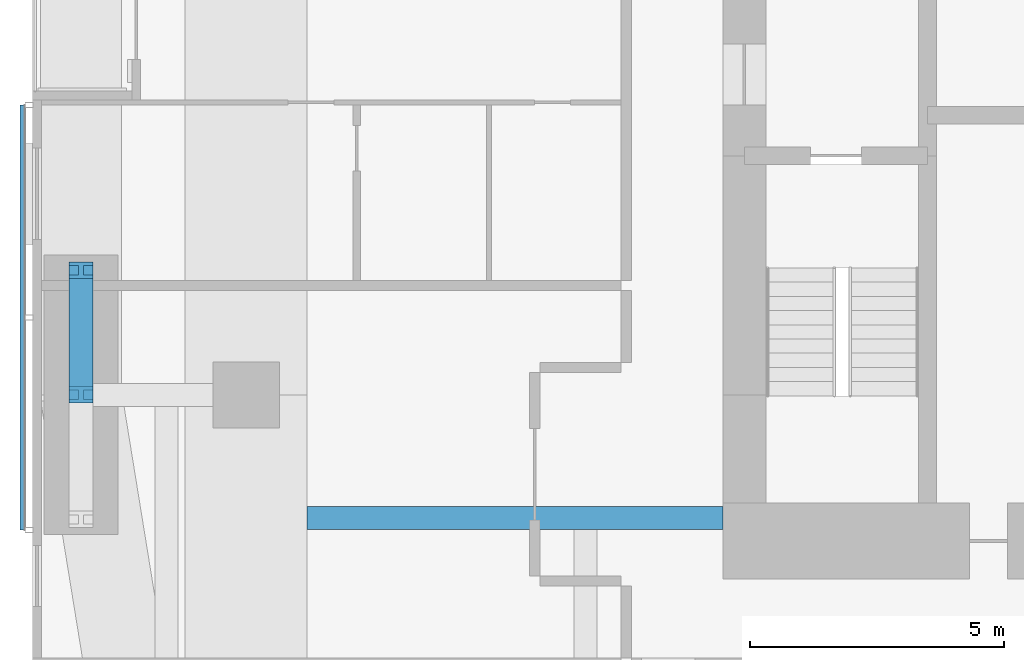
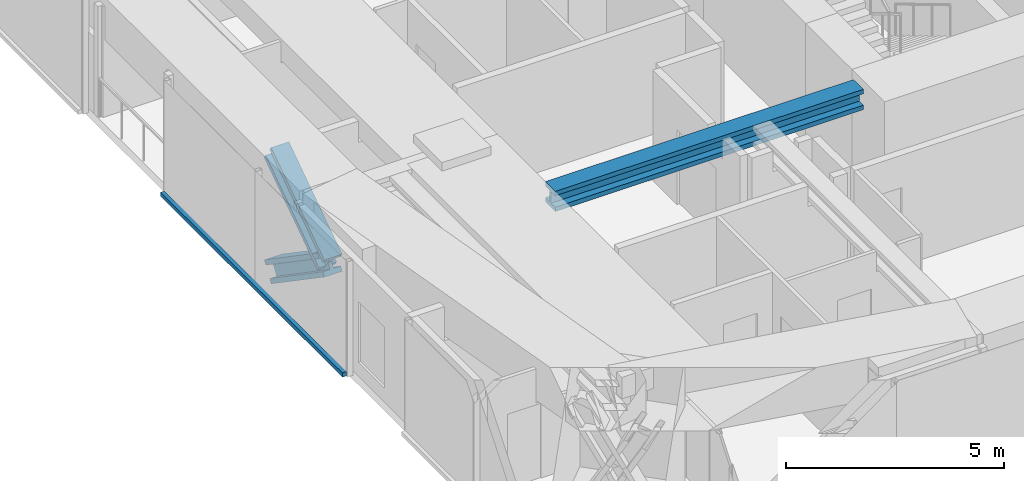
# One storey, part 3 of 24: 3 members, 1 beam, 1 element without a shape of its own.
"""IFC4 building model written with IfcOpenShell, lengths in metres."""

from ifc_helpers import new_model, si_unit, direction, frame, origin, origin_2d, place, context, subcontext, project, spatial, rectangle, i_section, extrude, material, material_profile, profile_set, type_object, element, aggregate, save


model = new_model("IFC4")

# Units and contexts
model_context = context("Model", 3, precision=1e-05, world=origin(), true_north=direction((0.0, 1.0)))
body_context = subcontext(model_context, "Body", "Model", "MODEL_VIEW")
ifc_project = project(units=[si_unit("LENGTHUNIT", "METRE"), si_unit("AREAUNIT", "SQUARE_METRE"), si_unit("VOLUMEUNIT", "CUBIC_METRE"), si_unit("PLANEANGLEUNIT", "RADIAN"), si_unit("MASSUNIT", "GRAM", prefix="KILO")], contexts=[model_context])

# Site, building, storey
site_placement = place(None, origin())
site = spatial("IfcSite", under=ifc_project, at=site_placement, CompositionType="ELEMENT")
building_placement = place(site_placement, origin())
building = spatial("IfcBuilding", under=site, at=building_placement, Name="Jalousie Tower", CompositionType="ELEMENT")
storey_placement = place(building_placement, frame((0.0, 0.0, 128.300048828125)))
storey = spatial("IfcBuildingStorey", under=building, at=storey_placement, Name="L35", CompositionType="ELEMENT", Elevation=128.300048828125)

# Beam
ifc_material_1 = material(Name="Steel ASTM A992 Grade 50", Category="steel")
ifc_material_profile_1 = material_profile(ifc_material_1, i_section(OverallWidth=0.45458984375, OverallDepth=0.569091796875, WebThickness=0.077880859375, FlangeThickness=0.124755859375, at=origin_2d()), Name="W14X730")
ifc_profile_set_1 = profile_set([ifc_material_profile_1], Name="Steel ASTM A992 Grade 50")
beam_type = type_object("IfcBeamType", Name="LEAN COLLECTOR W14X730", PredefinedType="BEAM", material=ifc_profile_set_1)
beam_placement = place(storey_placement, frame((11.39990234375, 10.574951171875, 2.825439453125), z_axis=(1.0, 0.0, 0.0), x_axis=(0.0, 1.0, 0.0)))
element("IfcBeam", 1, at=beam_placement, inside=storey, type_object=beam_type, Name="Lean collector under L36", PredefinedType="BEAM", context=body_context, shape_type="SweptSolid", body=[
    extrude(i_section(OverallWidth=0.45458984375, OverallDepth=0.569091796875, WebThickness=0.077880859375, FlangeThickness=0.124755859375, at=origin_2d()), origin(), (0.0, 0.0, 1.0), 8.175048828125),
])

# Members
ifc_material_2 = material(Name="Steel ASTM A992 Grade 50", Category="steel")
ifc_material_profile_2 = material_profile(ifc_material_2, i_section(OverallWidth=0.472412109375, OverallDepth=0.5791015625, WebThickness=0.094970703125, FlangeThickness=0.1298828125, at=origin_2d()), Name="W14X808")
ifc_profile_set_2 = profile_set([ifc_material_profile_2], Name="Steel ASTM A992 Grade 50")
member_type_1 = type_object("IfcMemberType", Name="PERIMETER BRACE W14X808", PredefinedType="BRACE", material=ifc_profile_set_2)
for number, where, z_axis, x_axis, name in (
    (2, (6.949951171875, 13.0, 1.074951171875), (0.0, 0.825500916831, 0.564400776321), (-1.0, 0.0, 0.0), "Perimeter brace 14 L35 part 2"),
    (3, (6.949951171875, 15.449951171875, -0.60009765625), (0.0, -0.825500916831, 0.564400776321), (1.0, 0.0, 0.0), "Perimeter brace 14 L35 part 3"),
):
    element("IfcMember", number, at=place(storey_placement, frame(where, z_axis=z_axis, x_axis=x_axis)), inside=storey, type_object=member_type_1, Name=name, PredefinedType="BRACE", context=body_context, shape_type="SweptSolid", body=[
        extrude(i_section(OverallWidth=0.472412109375, OverallDepth=0.5791015625, WebThickness=0.094970703125, FlangeThickness=0.1298828125, at=origin_2d()), origin(), (0.0, 0.0, 1.0), 2.9677734375),
    ])

# Curtain wall, member
ifc_material_3 = material(Name="Perforated aluminium sheet", Category="aluminium")
curtain_wall_type = type_object("IfcCurtainWallType", Name="SOLAR SCREEN SS-1", PredefinedType="USERDEFINED", material=ifc_material_3)
curtain_wall_placement = place(storey_placement, origin())
curtain_wall = element("IfcCurtainWall", 4, at=curtain_wall_placement, inside=storey, type_object=curtain_wall_type, Name="Solar screen L35", ObjectType="SOLAR SCREEN SS-1", PredefinedType="USERDEFINED")
ifc_material_4 = material(Name="Extruded aluminium screen rail", Category="aluminium")
ifc_material_profile_3 = material_profile(ifc_material_4, rectangle(XDim=0.1015625, YDim=0.1201171875, at=origin_2d()), Name="RAIL 102x120")
ifc_profile_set_3 = profile_set([ifc_material_profile_3], Name="Extruded aluminium screen rail")
member_type_2 = type_object("IfcMemberType", Name="SOLAR SCREEN SS-1 TRANSOM", PredefinedType="USERDEFINED", material=ifc_profile_set_3)
member_placement = place(storey_placement, frame((5.8017578125, 18.699951171875, -0.06005859375), z_axis=(0.0, -1.0, 0.0), x_axis=(1.0, 0.0, 0.0)))
member = element("IfcMember", 5, at=member_placement, type_object=member_type_2, Name="SS1 rail", ObjectType="TRANSOM", PredefinedType="USERDEFINED", context=body_context, shape_type="SweptSolid", body=[
    extrude(rectangle(XDim=0.1015625, YDim=0.1201171875, at=origin_2d()), origin(), (0.0, 0.0, 1.0), 8.359375),
])
aggregate(curtain_wall, [member])

save(model, "model.ifc")
